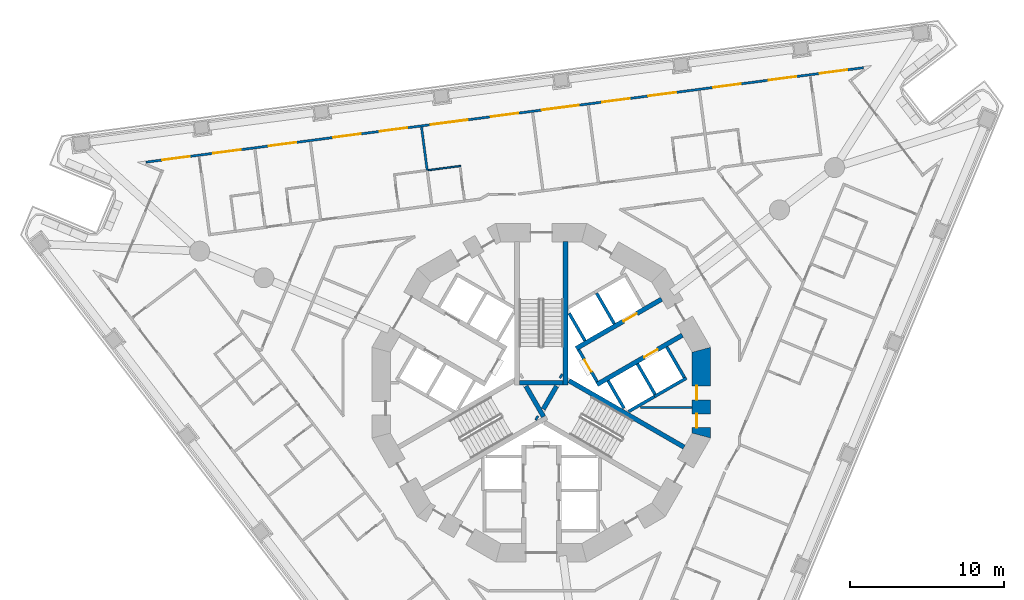
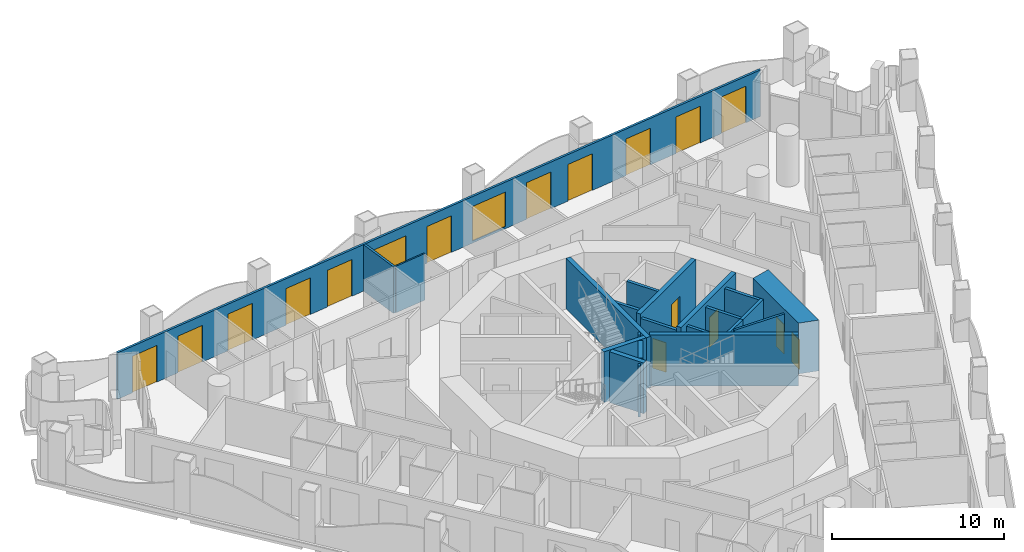
# One storey, part 8 of 19: 22 walls, 16 doors, 2 windows, 18 openings.
"""IFC4 building model written with IfcOpenShell, lengths in metres."""

from ifc_helpers import new_model, si_unit, direction, frame, frame_2d, origin, place, context, subcontext, project, spatial, polyline, rectangle, outline, extrude, material, layer, layer_set, type_object, element, fill, save


model = new_model("IFC4")

# Units and contexts
model_context = context("Model", 3, precision=1e-05, world=origin(), true_north=direction((0.0, 1.0)))
body_context = subcontext(model_context, "Body", "Model", "MODEL_VIEW")
ifc_project = project(units=[si_unit("LENGTHUNIT", "METRE"), si_unit("AREAUNIT", "SQUARE_METRE"), si_unit("VOLUMEUNIT", "CUBIC_METRE"), si_unit("PLANEANGLEUNIT", "RADIAN"), si_unit("MASSUNIT", "GRAM", prefix="KILO")], contexts=[model_context])

# Site, building, storey
site_placement = place(None, origin())
site = spatial("IfcSite", under=ifc_project, at=site_placement, CompositionType="ELEMENT")
building_placement = place(site_placement, origin())
building = spatial("IfcBuilding", under=site, at=building_placement, Name="Trine Commons Tower", CompositionType="ELEMENT")
storey_placement = place(building_placement, frame((0.0, 0.0, 68.39990234375)))
storey = spatial("IfcBuildingStorey", under=building, at=storey_placement, Name="L16", CompositionType="ELEMENT", Elevation=68.39990234375)

# Wall
ifc_material_1 = material(Name="Plasterboard partition on steel studs", Category="steel")
ifc_layer_1 = layer(ifc_material_1, 0.14990234375)
ifc_layer_set_1 = layer_set([ifc_layer_1], Name="Plasterboard partition on steel studs")
wall_type_1 = type_object("IfcWallType", Name="Core room partition 150 mm, EI 60", PredefinedType="PARTITIONING", material=ifc_layer_set_1)
wall_1_placement = place(storey_placement, frame((89.81201171875, 61.537109375, 0.0), z_axis=(0.0, 0.0, 1.0), x_axis=(-1.0, 0.0, 0.0)))
element("IfcWall", 1, at=wall_1_placement, inside=storey, type_object=wall_type_1, Name="Core room partition L16", PredefinedType="PARTITIONING", context=body_context, shape_type="SweptSolid", body=[
    extrude(rectangle(XDim=3.35107421875, YDim=0.14990234375, at=frame_2d((1.675537109375, 0.0))), origin(), (0.0, 0.0, 1.0), 3.300048828125),
])

# Wall, openings, windows, doors
ifc_material_2 = material(Name="Aluminium-framed insulated wall panel", Category="aluminium")
ifc_layer_2 = layer(ifc_material_2, 0.14990234375)
ifc_layer_set_2 = layer_set([ifc_layer_2], Name="Aluminium-framed insulated wall panel")
wall_type_2 = type_object("IfcWallType", Name="Glazed frame wall 150, EI 60", PredefinedType="SOLIDWALL", material=ifc_layer_set_2)
wall_2_placement = place(storey_placement, frame((54.142333984375, 77.464599609375, 0.0), z_axis=(0.0, 0.0, 1.0), x_axis=(0.991444696532, 0.130527444308, 0.0)))
wall_2 = element("IfcWall", 2, at=wall_2_placement, inside=storey, type_object=wall_type_2, Name="Glazed frame wall F1", PredefinedType="SOLIDWALL", context=body_context, shape_type="SweptSolid", body=[
    extrude(outline(polyline([(0.1494140625, 0.074951171875), (0.1494140625, -0.074951171875), (47.216796875, -0.074951171875), (47.216796875, 0.074951171875), (0.1494140625, 0.074951171875)])), origin(), (0.0, 0.0, 1.0), 3.300048828125),
])
opening_1_placement = place(wall_2_placement, frame((1.2216796875, 0.0, 0.0)))
opening_1 = element("IfcOpeningElement", 3, at=opening_1_placement, cuts=wall_2, Name="Opening BD-2F1-01", PredefinedType="OPENING", context=body_context, shape_type="SweptSolid", body=[
    extrude(rectangle(XDim=1.800048828125, YDim=2.60009765625, at=frame_2d((0.89990234375, 1.300048828125))), frame((0.0, 0.0849609375, 0.0), z_axis=(0.0, -1.0, 0.0), x_axis=(1.0, 0.0, 0.0)), (0.0, 0.0, 1.0), 0.169921875),
])
opening_2_placement = place(wall_2_placement, frame((4.5654296875, 0.0, 0.0)))
opening_2 = element("IfcOpeningElement", 4, at=opening_2_placement, cuts=wall_2, Name="Opening BD-2F1-02", PredefinedType="OPENING", context=body_context, shape_type="SweptSolid", body=[
    extrude(rectangle(XDim=1.800048828125, YDim=2.60009765625, at=frame_2d((0.89990234375, 1.300048828125))), frame((0.0, 0.0849609375, 0.0), z_axis=(0.0, -1.0, 0.0), x_axis=(1.0, 0.0, 0.0)), (0.0, 0.0, 1.0), 0.169921875),
])
opening_3_placement = place(wall_2_placement, frame((8.208984375, 0.0, 0.0)))
opening_3 = element("IfcOpeningElement", 5, at=opening_3_placement, cuts=wall_2, Name="Opening BD-2F1-03", PredefinedType="OPENING", context=body_context, shape_type="SweptSolid", body=[
    extrude(rectangle(XDim=1.800048828125, YDim=2.60009765625, at=frame_2d((0.89990234375, 1.300048828125))), frame((0.0, 0.0849609375, 0.0), z_axis=(0.0, -1.0, 0.0), x_axis=(1.0, 0.0, 0.0)), (0.0, 0.0, 1.0), 0.169921875),
])
opening_4_placement = place(wall_2_placement, frame((12.45263671875, 0.0, 0.0)))
opening_4 = element("IfcOpeningElement", 6, at=opening_4_placement, cuts=wall_2, Name="Opening BD-2F1-04", PredefinedType="OPENING", context=body_context, shape_type="SweptSolid", body=[
    extrude(rectangle(XDim=1.800048828125, YDim=2.60009765625, at=frame_2d((0.89990234375, 1.300048828125))), frame((0.0, 0.0849609375, 0.0), z_axis=(0.0, -1.0, 0.0), x_axis=(1.0, 0.0, 0.0)), (0.0, 0.0, 1.0), 0.169921875),
])
opening_5_placement = place(wall_2_placement, frame((15.49609375, 0.0, 0.0)))
opening_5 = element("IfcOpeningElement", 7, at=opening_5_placement, cuts=wall_2, Name="Opening BD-2F1-05", PredefinedType="OPENING", context=body_context, shape_type="SweptSolid", body=[
    extrude(rectangle(XDim=1.800048828125, YDim=2.60009765625, at=frame_2d((0.89990234375, 1.300048828125))), frame((0.0, 0.0849609375, 0.0), z_axis=(0.0, -1.0, 0.0), x_axis=(1.0, 0.0, 0.0)), (0.0, 0.0, 1.0), 0.169921875),
])
opening_6_placement = place(wall_2_placement, frame((18.83984375, 0.0, 0.14990234375)))
opening_6 = element("IfcOpeningElement", 8, at=opening_6_placement, cuts=wall_2, Name="Opening W-2F1-06", PredefinedType="OPENING", context=body_context, shape_type="SweptSolid", body=[
    extrude(rectangle(XDim=2.39990234375, YDim=2.449951171875, at=frame_2d((1.199951171875, 1.22509765625))), frame((0.0, 0.0849609375, 0.0), z_axis=(0.0, -1.0, 0.0), x_axis=(1.0, 0.0, 0.0)), (0.0, 0.0, 1.0), 0.169921875),
])
opening_7_placement = place(wall_2_placement, frame((22.783447265625, 0.0, 0.0)))
opening_7 = element("IfcOpeningElement", 9, at=opening_7_placement, cuts=wall_2, Name="Opening BD-2F1-07", PredefinedType="OPENING", context=body_context, shape_type="SweptSolid", body=[
    extrude(rectangle(XDim=1.800048828125, YDim=2.60009765625, at=frame_2d((0.89990234375, 1.300048828125))), frame((0.0, 0.0849609375, 0.0), z_axis=(0.0, -1.0, 0.0), x_axis=(1.0, 0.0, 0.0)), (0.0, 0.0, 1.0), 0.169921875),
])
opening_8_placement = place(wall_2_placement, frame((26.126953125, 0.0, 0.14990234375)))
opening_8 = element("IfcOpeningElement", 10, at=opening_8_placement, cuts=wall_2, Name="Opening W-2F1-08", PredefinedType="OPENING", context=body_context, shape_type="SweptSolid", body=[
    extrude(rectangle(XDim=2.39990234375, YDim=2.449951171875, at=frame_2d((1.199951171875, 1.22509765625))), frame((0.0, 0.0849609375, 0.0), z_axis=(0.0, -1.0, 0.0), x_axis=(1.0, 0.0, 0.0)), (0.0, 0.0, 1.0), 0.169921875),
])
opening_9_placement = place(wall_2_placement, frame((30.070556640625, 0.0, 0.0)))
opening_9 = element("IfcOpeningElement", 11, at=opening_9_placement, cuts=wall_2, Name="Opening BD-2F1-09", PredefinedType="OPENING", context=body_context, shape_type="SweptSolid", body=[
    extrude(rectangle(XDim=1.800048828125, YDim=2.60009765625, at=frame_2d((0.89990234375, 1.300048828125))), frame((0.0, 0.0849609375, 0.0), z_axis=(0.0, -1.0, 0.0), x_axis=(1.0, 0.0, 0.0)), (0.0, 0.0, 1.0), 0.169921875),
])
opening_10_placement = place(wall_2_placement, frame((33.1142578125, 0.0, 0.0)))
opening_10 = element("IfcOpeningElement", 12, at=opening_10_placement, cuts=wall_2, Name="Opening BD-2F1-10", PredefinedType="OPENING", context=body_context, shape_type="SweptSolid", body=[
    extrude(rectangle(XDim=1.800048828125, YDim=2.60009765625, at=frame_2d((0.89990234375, 1.300048828125))), frame((0.0, 0.0849609375, 0.0), z_axis=(0.0, -1.0, 0.0), x_axis=(1.0, 0.0, 0.0)), (0.0, 0.0, 1.0), 0.169921875),
])
opening_11_placement = place(wall_2_placement, frame((37.35791015625, 0.0, 0.0)))
opening_11 = element("IfcOpeningElement", 13, at=opening_11_placement, cuts=wall_2, Name="Opening BD-2F1-11", PredefinedType="OPENING", context=body_context, shape_type="SweptSolid", body=[
    extrude(rectangle(XDim=1.800048828125, YDim=2.60009765625, at=frame_2d((0.89990234375, 1.300048828125))), frame((0.0, 0.0849609375, 0.0), z_axis=(0.0, -1.0, 0.0), x_axis=(1.0, 0.0, 0.0)), (0.0, 0.0, 1.0), 0.169921875),
])
opening_12_placement = place(wall_2_placement, frame((41.00146484375, 0.0, 0.0)))
opening_12 = element("IfcOpeningElement", 14, at=opening_12_placement, cuts=wall_2, Name="Opening BD-2F1-12", PredefinedType="OPENING", context=body_context, shape_type="SweptSolid", body=[
    extrude(rectangle(XDim=1.800048828125, YDim=2.60009765625, at=frame_2d((0.89990234375, 1.300048828125))), frame((0.0, 0.0849609375, 0.0), z_axis=(0.0, -1.0, 0.0), x_axis=(1.0, 0.0, 0.0)), (0.0, 0.0, 1.0), 0.169921875),
])
opening_13_placement = place(wall_2_placement, frame((44.344970703125, 0.0, 0.0)))
opening_13 = element("IfcOpeningElement", 15, at=opening_13_placement, cuts=wall_2, Name="Opening BD-2F1-13", PredefinedType="OPENING", context=body_context, shape_type="SweptSolid", body=[
    extrude(rectangle(XDim=1.800048828125, YDim=2.60009765625, at=frame_2d((0.89990234375, 1.300048828125))), frame((0.0, 0.0849609375, 0.0), z_axis=(0.0, -1.0, 0.0), x_axis=(1.0, 0.0, 0.0)), (0.0, 0.0, 1.0), 0.169921875),
])
ifc_material_3 = material(Name="Anodised aluminium frame with double glazing", Category="aluminium")
window_type = type_object("IfcWindowType", Name="Fixed window 2400x2450", PartitioningType="SINGLE_PANEL", PredefinedType="WINDOW", material=ifc_material_3)
window_1_placement = place(opening_6_placement, origin())
window_1 = element("IfcWindow", 16, at=window_1_placement, inside=storey, type_object=window_type, Name="Window F1 6", OverallHeight=2.449951171875, OverallWidth=2.39990234375, PartitioningType="SINGLE_PANEL", PredefinedType="WINDOW", context=body_context, shape_type="SweptSolid", body=[
    extrude(rectangle(XDim=2.39990234375, YDim=2.449951171875, at=frame_2d((1.199951171875, 1.22509765625))), frame((0.0, 0.030029296875, 0.0), z_axis=(0.0, -1.0, 0.0), x_axis=(1.0, 0.0, 0.0)), (0.0, 0.0, 1.0), 0.06005859375),
])
fill(opening_6, window_1)
window_2_placement = place(opening_8_placement, origin())
window_2 = element("IfcWindow", 17, at=window_2_placement, inside=storey, type_object=window_type, Name="Window F1 8", OverallHeight=2.449951171875, OverallWidth=2.39990234375, PartitioningType="SINGLE_PANEL", PredefinedType="WINDOW", context=body_context, shape_type="SweptSolid", body=[
    extrude(rectangle(XDim=2.39990234375, YDim=2.449951171875, at=frame_2d((1.199951171875, 1.22509765625))), frame((0.0, 0.030029296875, 0.0), z_axis=(0.0, -1.0, 0.0), x_axis=(1.0, 0.0, 0.0)), (0.0, 0.0, 1.0), 0.06005859375),
])
fill(opening_8, window_2)
door_type_1 = type_object("IfcDoorType", Name="Sliding loggia door 1800x2600", OperationType="SLIDING_TO_LEFT", PredefinedType="DOOR", material=ifc_material_3)
door_1_placement = place(opening_1_placement, origin())
door_1 = element("IfcDoor", 18, at=door_1_placement, inside=storey, type_object=door_type_1, Name="Loggia door F1 1", OperationType="SLIDING_TO_LEFT", OverallHeight=2.60009765625, OverallWidth=1.800048828125, PredefinedType="DOOR", context=body_context, shape_type="SweptSolid", body=[
    extrude(rectangle(XDim=1.800048828125, YDim=2.60009765625, at=frame_2d((0.89990234375, 1.300048828125))), frame((0.0, 0.02490234375, 0.0), z_axis=(0.0, -1.0, 0.0), x_axis=(1.0, 0.0, 0.0)), (0.0, 0.0, 1.0), 0.050048828125),
])
fill(opening_1, door_1)
door_2_placement = place(opening_2_placement, origin())
door_2 = element("IfcDoor", 19, at=door_2_placement, inside=storey, type_object=door_type_1, Name="Loggia door F1 2", OperationType="SLIDING_TO_LEFT", OverallHeight=2.60009765625, OverallWidth=1.800048828125, PredefinedType="DOOR", context=body_context, shape_type="SweptSolid", body=[
    extrude(rectangle(XDim=1.800048828125, YDim=2.60009765625, at=frame_2d((0.89990234375, 1.300048828125))), frame((0.0, 0.02490234375, 0.0), z_axis=(0.0, -1.0, 0.0), x_axis=(1.0, 0.0, 0.0)), (0.0, 0.0, 1.0), 0.050048828125),
])
fill(opening_2, door_2)
door_3_placement = place(opening_3_placement, origin())
door_3 = element("IfcDoor", 20, at=door_3_placement, inside=storey, type_object=door_type_1, Name="Loggia door F1 3", OperationType="SLIDING_TO_LEFT", OverallHeight=2.60009765625, OverallWidth=1.800048828125, PredefinedType="DOOR", context=body_context, shape_type="SweptSolid", body=[
    extrude(rectangle(XDim=1.800048828125, YDim=2.60009765625, at=frame_2d((0.89990234375, 1.300048828125))), frame((0.0, 0.02490234375, 0.0), z_axis=(0.0, -1.0, 0.0), x_axis=(1.0, 0.0, 0.0)), (0.0, 0.0, 1.0), 0.050048828125),
])
fill(opening_3, door_3)
door_4_placement = place(opening_4_placement, origin())
door_4 = element("IfcDoor", 21, at=door_4_placement, inside=storey, type_object=door_type_1, Name="Loggia door F1 4", OperationType="SLIDING_TO_LEFT", OverallHeight=2.60009765625, OverallWidth=1.800048828125, PredefinedType="DOOR", context=body_context, shape_type="SweptSolid", body=[
    extrude(rectangle(XDim=1.800048828125, YDim=2.60009765625, at=frame_2d((0.89990234375, 1.300048828125))), frame((0.0, 0.02490234375, 0.0), z_axis=(0.0, -1.0, 0.0), x_axis=(1.0, 0.0, 0.0)), (0.0, 0.0, 1.0), 0.050048828125),
])
fill(opening_4, door_4)
door_5_placement = place(opening_5_placement, origin())
door_5 = element("IfcDoor", 22, at=door_5_placement, inside=storey, type_object=door_type_1, Name="Loggia door F1 5", OperationType="SLIDING_TO_LEFT", OverallHeight=2.60009765625, OverallWidth=1.800048828125, PredefinedType="DOOR", context=body_context, shape_type="SweptSolid", body=[
    extrude(rectangle(XDim=1.800048828125, YDim=2.60009765625, at=frame_2d((0.89990234375, 1.300048828125))), frame((0.0, 0.02490234375, 0.0), z_axis=(0.0, -1.0, 0.0), x_axis=(1.0, 0.0, 0.0)), (0.0, 0.0, 1.0), 0.050048828125),
])
fill(opening_5, door_5)
door_6_placement = place(opening_7_placement, origin())
door_6 = element("IfcDoor", 23, at=door_6_placement, inside=storey, type_object=door_type_1, Name="Loggia door F1 7", OperationType="SLIDING_TO_LEFT", OverallHeight=2.60009765625, OverallWidth=1.800048828125, PredefinedType="DOOR", context=body_context, shape_type="SweptSolid", body=[
    extrude(rectangle(XDim=1.800048828125, YDim=2.60009765625, at=frame_2d((0.89990234375, 1.300048828125))), frame((0.0, 0.02490234375, 0.0), z_axis=(0.0, -1.0, 0.0), x_axis=(1.0, 0.0, 0.0)), (0.0, 0.0, 1.0), 0.050048828125),
])
fill(opening_7, door_6)
door_7_placement = place(opening_9_placement, origin())
door_7 = element("IfcDoor", 24, at=door_7_placement, inside=storey, type_object=door_type_1, Name="Loggia door F1 9", OperationType="SLIDING_TO_LEFT", OverallHeight=2.60009765625, OverallWidth=1.800048828125, PredefinedType="DOOR", context=body_context, shape_type="SweptSolid", body=[
    extrude(rectangle(XDim=1.800048828125, YDim=2.60009765625, at=frame_2d((0.89990234375, 1.300048828125))), frame((0.0, 0.02490234375, 0.0), z_axis=(0.0, -1.0, 0.0), x_axis=(1.0, 0.0, 0.0)), (0.0, 0.0, 1.0), 0.050048828125),
])
fill(opening_9, door_7)
door_8_placement = place(opening_10_placement, origin())
door_8 = element("IfcDoor", 25, at=door_8_placement, inside=storey, type_object=door_type_1, Name="Loggia door F1 10", OperationType="SLIDING_TO_LEFT", OverallHeight=2.60009765625, OverallWidth=1.800048828125, PredefinedType="DOOR", context=body_context, shape_type="SweptSolid", body=[
    extrude(rectangle(XDim=1.800048828125, YDim=2.60009765625, at=frame_2d((0.89990234375, 1.300048828125))), frame((0.0, 0.02490234375, 0.0), z_axis=(0.0, -1.0, 0.0), x_axis=(1.0, 0.0, 0.0)), (0.0, 0.0, 1.0), 0.050048828125),
])
fill(opening_10, door_8)
door_9_placement = place(opening_11_placement, origin())
door_9 = element("IfcDoor", 26, at=door_9_placement, inside=storey, type_object=door_type_1, Name="Loggia door F1 11", OperationType="SLIDING_TO_LEFT", OverallHeight=2.60009765625, OverallWidth=1.800048828125, PredefinedType="DOOR", context=body_context, shape_type="SweptSolid", body=[
    extrude(rectangle(XDim=1.800048828125, YDim=2.60009765625, at=frame_2d((0.89990234375, 1.300048828125))), frame((0.0, 0.02490234375, 0.0), z_axis=(0.0, -1.0, 0.0), x_axis=(1.0, 0.0, 0.0)), (0.0, 0.0, 1.0), 0.050048828125),
])
fill(opening_11, door_9)
door_10_placement = place(opening_12_placement, origin())
door_10 = element("IfcDoor", 27, at=door_10_placement, inside=storey, type_object=door_type_1, Name="Loggia door F1 12", OperationType="SLIDING_TO_LEFT", OverallHeight=2.60009765625, OverallWidth=1.800048828125, PredefinedType="DOOR", context=body_context, shape_type="SweptSolid", body=[
    extrude(rectangle(XDim=1.800048828125, YDim=2.60009765625, at=frame_2d((0.89990234375, 1.300048828125))), frame((0.0, 0.02490234375, 0.0), z_axis=(0.0, -1.0, 0.0), x_axis=(1.0, 0.0, 0.0)), (0.0, 0.0, 1.0), 0.050048828125),
])
fill(opening_12, door_10)
door_11_placement = place(opening_13_placement, origin())
door_11 = element("IfcDoor", 28, at=door_11_placement, inside=storey, type_object=door_type_1, Name="Loggia door F1 13", OperationType="SLIDING_TO_LEFT", OverallHeight=2.60009765625, OverallWidth=1.800048828125, PredefinedType="DOOR", context=body_context, shape_type="SweptSolid", body=[
    extrude(rectangle(XDim=1.800048828125, YDim=2.60009765625, at=frame_2d((0.89990234375, 1.300048828125))), frame((0.0, 0.02490234375, 0.0), z_axis=(0.0, -1.0, 0.0), x_axis=(1.0, 0.0, 0.0)), (0.0, 0.0, 1.0), 0.050048828125),
])
fill(opening_13, door_11)

# Wall, opening, door
ifc_material_4 = material(Name="Fire-rated gypsum shaft wall system")
ifc_layer_3 = layer(ifc_material_4, 0.199951171875)
ifc_layer_set_3 = layer_set([ifc_layer_3], Name="Fire-rated gypsum shaft wall system")
wall_type_3 = type_object("IfcWallType", Name="Lobby end wall 200 mm, EI 120", PredefinedType="PARTITIONING", material=ifc_layer_set_3)
wall_3_placement = place(storey_placement, frame((83.631103515625, 63.2109375, 0.0), z_axis=(0.0, 0.0, 1.0), x_axis=(-0.50012165622, 0.865955154139, 0.0)))
wall_3 = element("IfcWall", 29, at=wall_3_placement, inside=storey, type_object=wall_type_3, Name="Lobby end wall L16", PredefinedType="PARTITIONING", context=body_context, shape_type="SweptSolid", body=[
    extrude(rectangle(XDim=2.39990234375, YDim=0.199951171875, at=frame_2d((1.199951171875, 0.0))), origin(), (0.0, 0.0, 1.0), 3.300048828125),
])
opening_14_placement = place(wall_3_placement, frame((0.749755859375, 0.0, 0.0)))
opening_14 = element("IfcOpeningElement", 30, at=opening_14_placement, cuts=wall_3, Name="Opening K07.05", PredefinedType="OPENING", context=body_context, shape_type="SweptSolid", body=[
    extrude(rectangle(XDim=0.89990234375, YDim=2.10009765625, at=frame_2d((0.449951171875, 1.050048828125))), frame((0.0, 0.10986328125, 0.0), z_axis=(0.0, -1.0, 0.0), x_axis=(1.0, 0.0, 0.0)), (0.0, 0.0, 1.0), 0.219970703125),
])
ifc_material_5 = material(Name="Steel door leaf, fire-rated", Category="steel")
door_type_2 = type_object("IfcDoorType", Name="Riser access door, single leaf 900 x 2100, FD60", OperationType="SINGLE_SWING_LEFT", PredefinedType="DOOR", material=ifc_material_5)
door_12_placement = place(opening_14_placement, frame((0.89990234375, 0.0, 0.0), z_axis=(0.0, 0.0, 1.0), x_axis=(-1.0, 0.0, 0.0)))
door_12 = element("IfcDoor", 31, at=door_12_placement, inside=storey, type_object=door_type_2, Name="Riser door, Electrical riser L16", OperationType="SINGLE_SWING_LEFT", OverallHeight=2.10009765625, OverallWidth=0.89990234375, PredefinedType="DOOR", context=body_context, shape_type="SweptSolid", body=[
    extrude(rectangle(XDim=0.89990234375, YDim=2.10009765625, at=frame_2d((0.449951171875, 1.050048828125))), frame((0.0, 0.02490234375, 0.0), z_axis=(0.0, -1.0, 0.0), x_axis=(1.0, 0.0, 0.0)), (0.0, 0.0, 1.0), 0.050048828125),
])
fill(opening_14, door_12)

# Wall, openings, doors
ifc_material_6 = material(Name="Concrete C80/95", Category="concrete")
ifc_layer_4 = layer(ifc_material_6, 1.199951171875)
ifc_layer_set_4 = layer_set([ifc_layer_4], Name="Concrete C80/95")
wall_type_4 = type_object("IfcWallType", Name="RC shear wall 1200 mm, C80/95", PredefinedType="SHEAR", material=ifc_layer_set_4)
wall_4_placement = place(storey_placement, frame((90.41162109375, 59.549560546875, 0.0), z_axis=(0.0, 0.0, 1.0), x_axis=(0.0, 1.0, 0.0)))
wall_4 = element("IfcWall", 32, at=wall_4_placement, inside=storey, type_object=wall_type_4, Name="Core wall CWB-01 L16", PredefinedType="SHEAR", context=body_context, shape_type="SweptSolid", body=[
    extrude(outline(polyline([(0.0, -0.60009765625), (5.90087890625, -0.60009765625), (5.57958984375, 0.60009765625), (0.321533203125, 0.60009765625), (0.0, -0.60009765625)])), origin(), (0.0, 0.0, 1.0), 3.60009765625),
])
opening_15_placement = place(wall_4_placement, frame((0.675537109375, 0.0, 0.0)))
opening_15 = element("IfcOpeningElement", 33, at=opening_15_placement, cuts=wall_4, Name="Opening K07.18", PredefinedType="OPENING", context=body_context, shape_type="SweptSolid", body=[
    extrude(rectangle(XDim=0.89990234375, YDim=2.10009765625, at=frame_2d((0.449951171875, 1.050048828125))), frame((0.0, 0.60986328125, 0.0), z_axis=(0.0, -1.0, 0.0), x_axis=(1.0, 0.0, 0.0)), (0.0, 0.0, 1.0), 1.219970703125),
])
opening_16_placement = place(wall_4_placement, frame((2.487548828125, 0.0, 0.0)))
opening_16 = element("IfcOpeningElement", 34, at=opening_16_placement, cuts=wall_4, Name="Opening K07.19", PredefinedType="OPENING", context=body_context, shape_type="SweptSolid", body=[
    extrude(rectangle(XDim=0.89990234375, YDim=2.10009765625, at=frame_2d((0.449951171875, 1.050048828125))), frame((0.0, 0.60986328125, 0.0), z_axis=(0.0, -1.0, 0.0), x_axis=(1.0, 0.0, 0.0)), (0.0, 0.0, 1.0), 1.219970703125),
])
door_type_3 = type_object("IfcDoorType", Name="Core room door, single leaf 900 x 2100, FD30S", OperationType="SINGLE_SWING_LEFT", PredefinedType="DOOR", material=ifc_material_5)
door_13_placement = place(opening_15_placement, origin())
door_13 = element("IfcDoor", 35, at=door_13_placement, inside=storey, type_object=door_type_3, Name="Door to Parcel store L16", OperationType="SINGLE_SWING_LEFT", OverallHeight=2.10009765625, OverallWidth=0.89990234375, PredefinedType="DOOR", context=body_context, shape_type="SweptSolid", body=[
    extrude(rectangle(XDim=0.89990234375, YDim=2.10009765625, at=frame_2d((0.449951171875, 1.050048828125))), frame((0.0, 0.3251953125, 0.0), z_axis=(0.0, -1.0, 0.0), x_axis=(1.0, 0.0, 0.0)), (0.0, 0.0, 1.0), 0.050048828125),
])
fill(opening_15, door_13)
door_14_placement = place(opening_16_placement, origin())
door_14 = element("IfcDoor", 36, at=door_14_placement, inside=storey, type_object=door_type_3, Name="Door to Print room L16", OperationType="SINGLE_SWING_LEFT", OverallHeight=2.10009765625, OverallWidth=0.89990234375, PredefinedType="DOOR", context=body_context, shape_type="SweptSolid", body=[
    extrude(rectangle(XDim=0.89990234375, YDim=2.10009765625, at=frame_2d((0.449951171875, 1.050048828125))), frame((0.0, 0.3251953125, 0.0), z_axis=(0.0, -1.0, 0.0), x_axis=(1.0, 0.0, 0.0)), (0.0, 0.0, 1.0), 0.050048828125),
])
fill(opening_16, door_14)

# Wall, opening, door
ifc_layer_5 = layer(ifc_material_6, 0.300048828125)
ifc_layer_set_5 = layer_set([ifc_layer_5], Name="Concrete C80/95")
wall_type_5 = type_object("IfcWallType", Name="RC shear wall 300 mm, C80/95", PredefinedType="SHEAR", material=ifc_layer_set_5)
wall_5_placement = place(storey_placement, frame((82.26904296875, 65.368896484375, 0.0), z_axis=(0.0, 0.0, 1.0), x_axis=(0.866022631842, 0.500004801114, 0.0)))
wall_5 = element("IfcWall", 37, at=wall_5_placement, inside=storey, type_object=wall_type_5, Name="Core cross wall SWA-05 L16", PredefinedType="SHEAR", context=body_context, shape_type="SweptSolid", body=[
    extrude(rectangle(XDim=6.412109375, YDim=0.300048828125, at=frame_2d((3.2060546875, 0.0))), origin(), (0.0, 0.0, 1.0), 3.60009765625),
])
opening_17_placement = place(wall_5_placement, frame((3.55029296875, 0.0, 0.0)))
opening_17 = element("IfcOpeningElement", 38, at=opening_17_placement, cuts=wall_5, Name="Opening LD1", PredefinedType="OPENING", context=body_context, shape_type="SweptSolid", body=[
    extrude(rectangle(XDim=1.0, YDim=2.10009765625, at=frame_2d((0.5, 1.050048828125))), frame((0.0, 0.159912109375, 0.0), z_axis=(0.0, -1.0, 0.0), x_axis=(1.0, 0.0, 0.0)), (0.0, 0.0, 1.0), 0.320068359375),
])
ifc_material_7 = material(Name="Stainless steel sliding door leaves", Category="steel")
door_type_4 = type_object("IfcDoorType", Name="Lift landing door, centre-opening sliding 1000 x 2100, FD90", OperationType="DOUBLE_DOOR_SLIDING", PredefinedType="DOOR", material=ifc_material_7)
door_15_placement = place(opening_17_placement, origin())
door_15 = element("IfcDoor", 39, at=door_15_placement, inside=storey, type_object=door_type_4, Name="Lift landing door LR1 L16", OperationType="DOUBLE_DOOR_SLIDING", OverallHeight=2.10009765625, OverallWidth=1.0, PredefinedType="DOOR", context=body_context, shape_type="SweptSolid", body=[
    extrude(rectangle(XDim=1.0, YDim=2.10009765625, at=frame_2d((0.5, 1.050048828125))), frame((0.0, 0.02490234375, 0.0), z_axis=(0.0, -1.0, 0.0), x_axis=(1.0, 0.0, 0.0)), (0.0, 0.0, 1.0), 0.050048828125),
])
fill(opening_17, door_15)

wall_6_placement = place(storey_placement, frame((83.618896484375, 63.031005859375, 0.0), z_axis=(0.0, 0.0, 1.0), x_axis=(0.866032150378, 0.499988314375, 0.0)))
wall_6 = element("IfcWall", 40, at=wall_6_placement, inside=storey, type_object=wall_type_5, Name="Core cross wall SWA-06 L16", PredefinedType="SHEAR", context=body_context, shape_type="SweptSolid", body=[
    extrude(rectangle(XDim=6.412353515625, YDim=0.300048828125, at=frame_2d((3.2060546875, 0.0))), origin(), (0.0, 0.0, 1.0), 3.60009765625),
])
opening_18_placement = place(wall_6_placement, frame((3.55029296875, 0.0, 0.0)))
opening_18 = element("IfcOpeningElement", 41, at=opening_18_placement, cuts=wall_6, Name="Opening LD2", PredefinedType="OPENING", context=body_context, shape_type="SweptSolid", body=[
    extrude(rectangle(XDim=1.0, YDim=2.10009765625, at=frame_2d((0.5, 1.050048828125))), frame((0.0, 0.159912109375, 0.0), z_axis=(0.0, -1.0, 0.0), x_axis=(1.0, 0.0, 0.0)), (0.0, 0.0, 1.0), 0.320068359375),
])
door_16_placement = place(opening_18_placement, origin())
door_16 = element("IfcDoor", 42, at=door_16_placement, inside=storey, type_object=door_type_4, Name="Lift landing door LR2 L16", OperationType="DOUBLE_DOOR_SLIDING", OverallHeight=2.10009765625, OverallWidth=1.0, PredefinedType="DOOR", context=body_context, shape_type="SweptSolid", body=[
    extrude(rectangle(XDim=1.0, YDim=2.10009765625, at=frame_2d((0.5, 1.050048828125))), frame((0.0, 0.02490234375, 0.0), z_axis=(0.0, -1.0, 0.0), x_axis=(1.0, 0.0, 0.0)), (0.0, 0.0, 1.0), 0.050048828125),
])
fill(opening_18, door_16)

# Walls
wall_7_placement = place(storey_placement, frame((79.0029296875, 62.926025390625, 0.0), z_axis=(0.0, 0.0, 1.0), x_axis=(0.499965247104, -0.866045467449, 0.0)))
element("IfcWall", 43, at=wall_7_placement, inside=storey, type_object=wall_type_5, Name="Core cross wall SWA-10 L16", PredefinedType="SHEAR", context=body_context, shape_type="SweptSolid", body=[
    extrude(rectangle(XDim=2.292236328125, YDim=0.300048828125, at=frame_2d((1.14599609375, 0.0))), origin(), (0.0, 0.0, 1.0), 3.60009765625),
])
wall_8_placement = place(storey_placement, frame((79.64599609375, 60.885986328125, 0.0), z_axis=(0.0, 0.0, 1.0), x_axis=(0.867331893649, -0.497730234424, 0.0)))
element("IfcWall", 44, at=wall_8_placement, inside=storey, type_object=wall_type_5, Name="Core cross wall SWA-11 L16", PredefinedType="SHEAR", context=body_context, shape_type="SweptSolid", body=[
    extrude(rectangle(XDim=0.148681640625, YDim=0.300048828125, at=frame_2d((0.07421875, 0.0))), origin(), (0.0, 0.0, 1.0), 3.60009765625),
])
wall_9_placement = place(storey_placement, frame((80.1298828125, 61.424072265625, 0.0), z_axis=(0.0, 0.0, 1.0), x_axis=(0.500014901547, 0.866016800201, 0.0)))
element("IfcWall", 45, at=wall_9_placement, inside=storey, type_object=wall_type_5, Name="Core cross wall SWA-12 L16", PredefinedType="SHEAR", context=body_context, shape_type="SweptSolid", body=[
    extrude(rectangle(XDim=1.734375, YDim=0.300048828125, at=frame_2d((0.8671875, 0.0))), origin(), (0.0, 0.0, 1.0), 3.60009765625),
])
wall_10_placement = place(storey_placement, frame((81.220947265625, 63.614013671875, 0.0), z_axis=(0.0, 0.0, 1.0), x_axis=(0.867737973955, -0.497021939713, 0.0)))
element("IfcWall", 46, at=wall_10_placement, inside=storey, type_object=wall_type_5, Name="Core cross wall SWA-15 L16", PredefinedType="SHEAR", context=body_context, shape_type="SweptSolid", body=[
    extrude(rectangle(XDim=0.14892578125, YDim=0.300048828125, at=frame_2d((0.074462890625, 0.0))), origin(), (0.0, 0.0, 1.0), 3.60009765625),
])
wall_11_placement = place(storey_placement, frame((81.425048828125, 63.15087890625, 0.0), z_axis=(0.0, 0.0, 1.0), x_axis=(-1.0, 0.0, 0.0)))
element("IfcWall", 47, at=wall_11_placement, inside=storey, type_object=wall_type_5, Name="Core cross wall SWA-16 L16", PredefinedType="SHEAR", context=body_context, shape_type="SweptSolid", body=[
    extrude(rectangle(XDim=2.85009765625, YDim=0.300048828125, at=frame_2d((1.425048828125, 0.0))), origin(), (0.0, 0.0, 1.0), 3.60009765625),
])
wall_12_placement = place(storey_placement, frame((81.574951171875, 63.0009765625, 0.0), z_axis=(0.0, 0.0, 1.0), x_axis=(0.0, 1.0, 0.0)))
element("IfcWall", 48, at=wall_12_placement, inside=storey, type_object=wall_type_5, Name="Core cross wall SWA-17 L16", PredefinedType="SHEAR", context=body_context, shape_type="SweptSolid", body=[
    extrude(rectangle(XDim=9.31103515625, YDim=0.300048828125, at=frame_2d((4.655517578125, 0.0))), origin(), (0.0, 0.0, 1.0), 3.60009765625),
])
wall_13_placement = place(storey_placement, frame((81.800048828125, 63.280029296875, 0.0), z_axis=(0.0, 0.0, 1.0), x_axis=(0.865965399159, -0.500103916661, 0.0)))
element("IfcWall", 49, at=wall_13_placement, inside=storey, type_object=wall_type_5, Name="Core cross wall SWA-18 L16", PredefinedType="SHEAR", context=body_context, shape_type="SweptSolid", body=[
    extrude(rectangle(XDim=8.642333984375, YDim=0.300048828125, at=frame_2d((4.3212890625, 0.0))), origin(), (0.0, 0.0, 1.0), 3.60009765625),
])
ifc_layer_6 = layer(ifc_material_4, 0.199951171875)
ifc_layer_set_6 = layer_set([ifc_layer_6], Name="Fire-rated gypsum shaft wall system")
wall_type_6 = type_object("IfcWallType", Name="Shaft wall 200 mm, EI 120", PredefinedType="PARTITIONING", material=ifc_layer_set_6)
wall_14_placement = place(storey_placement, frame((82.843994140625, 65.8740234375, 0.0), z_axis=(0.0, 0.0, 1.0), x_axis=(-0.499865770674, 0.866102887253, 0.0)))
element("IfcWall", 50, at=wall_14_placement, inside=storey, type_object=wall_type_6, Name="Shaft wall L16", PredefinedType="PARTITIONING", context=body_context, shape_type="SweptSolid", body=[
    extrude(rectangle(XDim=2.064453125, YDim=0.199951171875, at=frame_2d((1.0322265625, 0.0))), origin(), (0.0, 0.0, 1.0), 3.300048828125),
])
wall_15_placement = place(storey_placement, frame((84.343994140625, 63.27587890625, 0.0), z_axis=(0.0, 0.0, 1.0), x_axis=(0.500271688072, -0.86586848777, 0.0)))
element("IfcWall", 51, at=wall_15_placement, inside=storey, type_object=wall_type_6, Name="Shaft wall L16", PredefinedType="PARTITIONING", context=body_context, shape_type="SweptSolid", body=[
    extrude(rectangle(XDim=2.064697265625, YDim=0.199951171875, at=frame_2d((1.0322265625, 0.0))), origin(), (0.0, 0.0, 1.0), 3.300048828125),
])
wall_16_placement = place(storey_placement, frame((84.7490234375, 66.97412109375, 0.0), z_axis=(0.0, 0.0, 1.0), x_axis=(-0.500136062276, 0.86594683394, 0.0)))
element("IfcWall", 52, at=wall_16_placement, inside=storey, type_object=wall_type_6, Name="Shaft wall L16", PredefinedType="PARTITIONING", context=body_context, shape_type="SweptSolid", body=[
    extrude(rectangle(XDim=2.299072265625, YDim=0.199951171875, at=frame_2d((1.1494140625, 0.0))), origin(), (0.0, 0.0, 1.0), 3.300048828125),
])
wall_17_placement = place(storey_placement, frame((85.675048828125, 61.27294921875, 0.0), z_axis=(0.0, 0.0, 1.0), x_axis=(0.865780634835, 0.500423712812, 0.0)))
element("IfcWall", 53, at=wall_17_placement, inside=storey, type_object=wall_type_6, Name="Shaft wall L16", PredefinedType="PARTITIONING", context=body_context, shape_type="SweptSolid", body=[
    extrude(rectangle(XDim=1.948486328125, YDim=0.199951171875, at=frame_2d((0.97412109375, 0.0))), origin(), (0.0, 0.0, 1.0), 3.300048828125),
])
wall_18_placement = place(storey_placement, frame((86.2490234375, 64.3759765625, 0.0), z_axis=(0.0, 0.0, 1.0), x_axis=(0.500136062276, -0.86594683394, 0.0)))
element("IfcWall", 54, at=wall_18_placement, inside=storey, type_object=wall_type_6, Name="Shaft wall L16", PredefinedType="PARTITIONING", context=body_context, shape_type="SweptSolid", body=[
    extrude(rectangle(XDim=2.299072265625, YDim=0.199951171875, at=frame_2d((1.1494140625, 0.0))), origin(), (0.0, 0.0, 1.0), 3.300048828125),
])
wall_19_placement = place(storey_placement, frame((87.362060546875, 62.248046875, 0.0), z_axis=(0.0, 0.0, 1.0), x_axis=(0.866177122335, 0.499737123639, 0.0)))
element("IfcWall", 55, at=wall_19_placement, inside=storey, type_object=wall_type_6, Name="Shaft wall L16", PredefinedType="PARTITIONING", context=body_context, shape_type="SweptSolid", body=[
    extrude(rectangle(XDim=2.401123046875, YDim=0.199951171875, at=frame_2d((1.20068359375, 0.0))), origin(), (0.0, 0.0, 1.0), 3.300048828125),
])
wall_20_placement = place(storey_placement, frame((88.155029296875, 65.47607421875, 0.0), z_axis=(0.0, 0.0, 1.0), x_axis=(0.500136062276, -0.86594683394, 0.0)))
element("IfcWall", 56, at=wall_20_placement, inside=storey, type_object=wall_type_6, Name="Shaft wall L16", PredefinedType="PARTITIONING", context=body_context, shape_type="SweptSolid", body=[
    extrude(rectangle(XDim=2.299072265625, YDim=0.199951171875, at=frame_2d((1.1494140625, 0.0))), origin(), (0.0, 0.0, 1.0), 3.300048828125),
])
ifc_material_8 = material(Name="Gypsum plasterboard on steel stud", Category="steel")
ifc_layer_7 = layer(ifc_material_8, 0.14990234375)
ifc_layer_set_7 = layer_set([ifc_layer_7], Name="Gypsum plasterboard on steel stud")
wall_type_7 = type_object("IfcWallType", Name="Unit and corridor wall 150 mm, EI 60", PredefinedType="PARTITIONING", material=ifc_layer_set_7)
wall_21_placement = place(storey_placement, frame((72.214111328125, 79.768310546875, 0.0), z_axis=(0.0, 0.0, 1.0), x_axis=(0.130648074846, -0.9914288076, 0.0)))
element("IfcWall", 57, at=wall_21_placement, inside=storey, type_object=wall_type_7, Name="Partition 056", PredefinedType="PARTITIONING", context=body_context, shape_type="SweptSolid", body=[
    extrude(rectangle(XDim=2.838623046875, YDim=0.14990234375, at=frame_2d((1.41943359375, 0.0))), origin(), (0.0, 0.0, 1.0), 3.300048828125),
])
ifc_layer_8 = layer(ifc_material_8, 0.10009765625)
ifc_layer_set_8 = layer_set([ifc_layer_8], Name="Gypsum plasterboard on steel stud")
wall_type_8 = type_object("IfcWallType", Name="Unit partition 100 mm, no rating", PredefinedType="PARTITIONING", material=ifc_layer_set_8)
wall_22_placement = place(storey_placement, frame((72.659423828125, 76.9638671875, 0.0), z_axis=(0.0, 0.0, 1.0), x_axis=(0.991493741143, 0.130154374779, 0.0)))
element("IfcWall", 58, at=wall_22_placement, inside=storey, type_object=wall_type_8, Name="Partition 058", PredefinedType="PARTITIONING", context=body_context, shape_type="SweptSolid", body=[
    extrude(rectangle(XDim=2.125244140625, YDim=0.10009765625, at=frame_2d((1.0625, 0.0))), origin(), (0.0, 0.0, 1.0), 3.300048828125),
])

save(model, "model.ifc")
